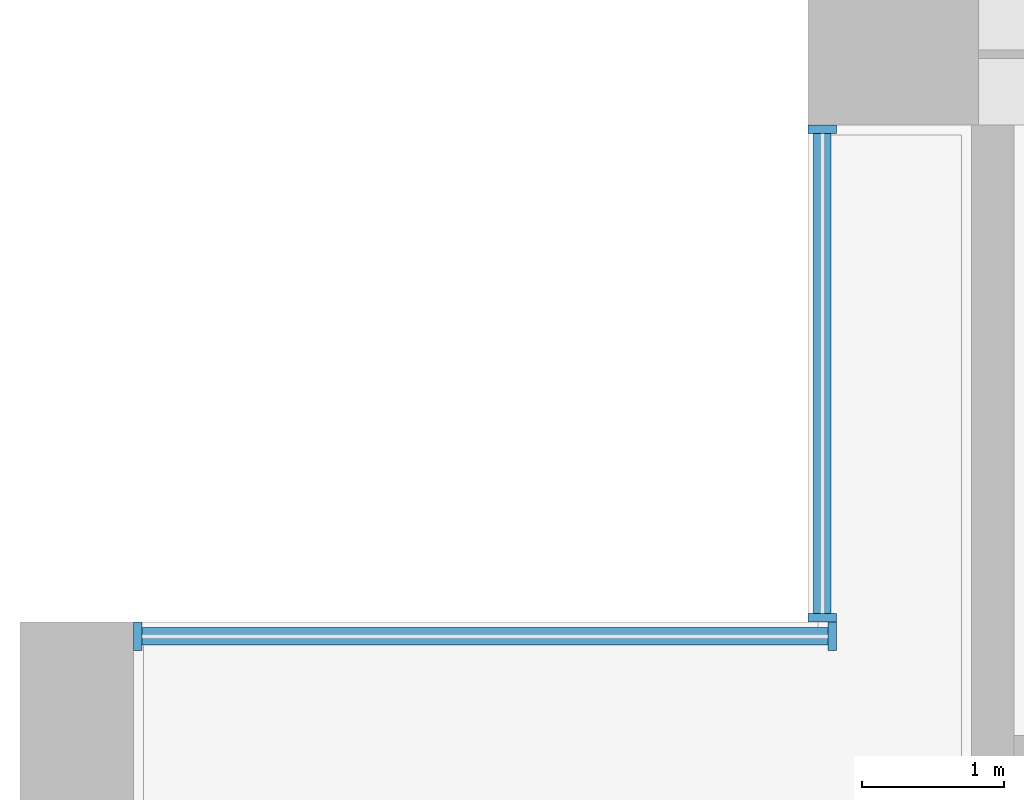
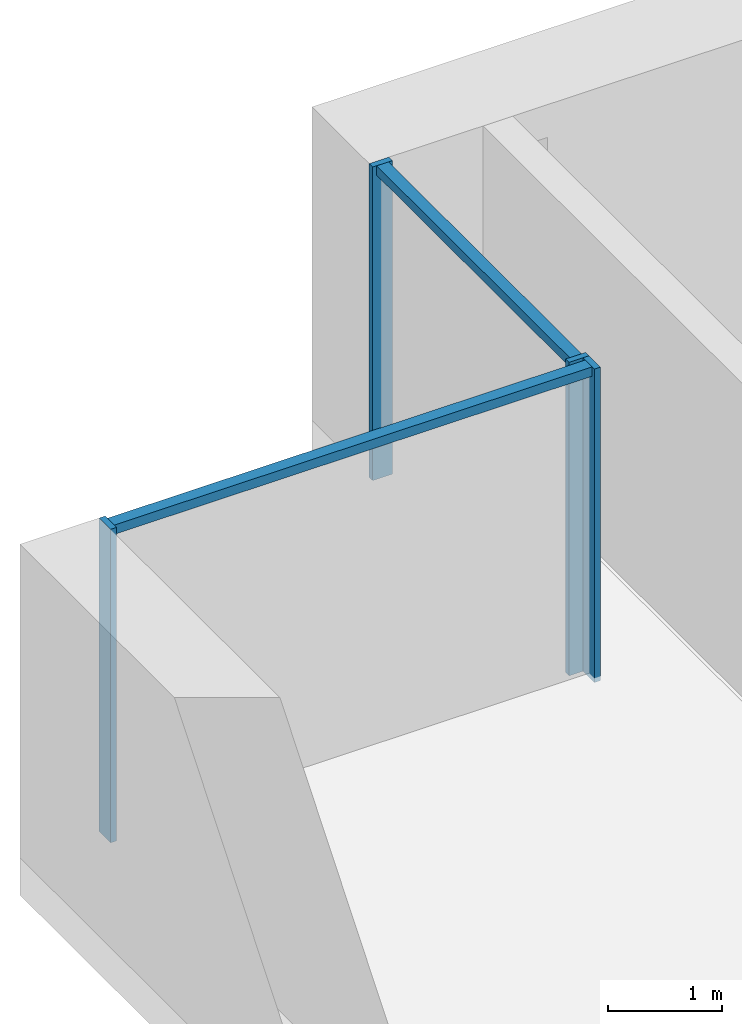
# One storey, part 4 of 18: 6 members, 2 elements without a shape of their own.
"""IFC4 building model written with IfcOpenShell, lengths in metres."""

from ifc_helpers import new_model, si_unit, direction, frame, origin, origin_2d, place, context, subcontext, project, spatial, rectangle, extrude, material, material_profile, profile_set, type_object, element, aggregate, save


model = new_model("IFC4")

# Units and contexts
model_context = context("Model", 3, precision=1e-05, world=origin(), true_north=direction((0.0, 1.0)))
body_context = subcontext(model_context, "Body", "Model", "MODEL_VIEW")
ifc_project = project(units=[si_unit("LENGTHUNIT", "METRE"), si_unit("AREAUNIT", "SQUARE_METRE"), si_unit("VOLUMEUNIT", "CUBIC_METRE"), si_unit("PLANEANGLEUNIT", "RADIAN"), si_unit("MASSUNIT", "GRAM", prefix="KILO")], contexts=[model_context])

# Site, building, storey
site_placement = place(None, origin())
site = spatial("IfcSite", under=ifc_project, at=site_placement, CompositionType="ELEMENT")
building_placement = place(site_placement, origin())
building = spatial("IfcBuilding", under=site, at=building_placement, Name="Calvaro Tower", CompositionType="ELEMENT")
storey_placement = place(building_placement, frame((0.0, 0.0, 41.25)))
storey = spatial("IfcBuildingStorey", under=building, at=storey_placement, Name="L09", CompositionType="ELEMENT", Elevation=41.25)

# Curtain wall, members
ifc_material_1 = material(Name="Anodised aluminium", Category="aluminium")
curtain_wall_type = type_object("IfcCurtainWallType", Name="Office curtain wall, lower zone", PredefinedType="NOTDEFINED", material=ifc_material_1)
curtain_wall_1_placement = place(storey_placement, origin())
curtain_wall_1 = element("IfcCurtainWall", 1, at=curtain_wall_1_placement, inside=storey, type_object=curtain_wall_type, Name="CW1 corner curtain wall", PredefinedType="NOTDEFINED")
ifc_material_2 = material(Name="Anodised aluminium", Category="aluminium")
ifc_material_profile_1 = material_profile(ifc_material_2, rectangle(XDim=0.199951171875, YDim=0.06005859375, at=origin_2d()), Name="Mullion S1 60 x 200")
ifc_profile_set_1 = profile_set([ifc_material_profile_1], Name="Anodised aluminium")
member_type_1 = type_object("IfcMemberType", Name="Mullion S1 60 x 200", PredefinedType="MULLION", material=ifc_profile_set_1)
member_1_placement = place(storey_placement, frame((5.64990234375, 41.530029296875, 0.0), z_axis=(0.0, 0.0, 1.0), x_axis=(-1.0, 0.0, 0.0)))
member_1 = element("IfcMember", 2, at=member_1_placement, type_object=member_type_1, Name="CW1 mullion 1", PredefinedType="MULLION", context=body_context, shape_type="SweptSolid", body=[
    extrude(rectangle(XDim=0.199951171875, YDim=0.06005859375, at=origin_2d()), origin(), (0.0, 0.0, 1.0), 3.35009765625),
])
member_2_placement = place(storey_placement, frame((5.64990234375, 44.969970703125, 0.0), z_axis=(0.0, 0.0, 1.0), x_axis=(-1.0, 0.0, 0.0)))
member_2 = element("IfcMember", 3, at=member_2_placement, type_object=member_type_1, Name="CW1 mullion 2", PredefinedType="MULLION", context=body_context, shape_type="SweptSolid", body=[
    extrude(rectangle(XDim=0.199951171875, YDim=0.06005859375, at=origin_2d()), origin(), (0.0, 0.0, 1.0), 3.35009765625),
])

curtain_wall_2_placement = place(storey_placement, origin())
curtain_wall_2 = element("IfcCurtainWall", 4, at=curtain_wall_2_placement, inside=storey, type_object=curtain_wall_type, Name="CW1 corner curtain wall", PredefinedType="NOTDEFINED")
member_3_placement = place(storey_placement, frame((0.830078125, 41.39990234375, 0.0), z_axis=(0.0, 0.0, 1.0), x_axis=(0.0, 1.0, 0.0)))
member_3 = element("IfcMember", 5, at=member_3_placement, type_object=member_type_1, Name="CW1 mullion 1", PredefinedType="MULLION", context=body_context, shape_type="SweptSolid", body=[
    extrude(rectangle(XDim=0.199951171875, YDim=0.06005859375, at=origin_2d()), origin(), (0.0, 0.0, 1.0), 3.35009765625),
])
member_4_placement = place(storey_placement, frame((5.719970703125, 41.39990234375, 0.0), z_axis=(0.0, 0.0, 1.0), x_axis=(0.0, 1.0, 0.0)))
member_4 = element("IfcMember", 6, at=member_4_placement, type_object=member_type_1, Name="CW1 mullion 2", PredefinedType="MULLION", context=body_context, shape_type="SweptSolid", body=[
    extrude(rectangle(XDim=0.199951171875, YDim=0.06005859375, at=origin_2d()), origin(), (0.0, 0.0, 1.0), 3.35009765625),
])

# Member
ifc_material_3 = material(Name="Anodised aluminium", Category="aluminium")
ifc_material_profile_2 = material_profile(ifc_material_3, rectangle(XDim=0.1201171875, YDim=0.10009765625, at=origin_2d()), Name="Transom S1 100 x 120")
ifc_profile_set_2 = profile_set([ifc_material_profile_2], Name="Anodised aluminium")
member_type_2 = type_object("IfcMemberType", Name="Transom S1 100 x 120", PredefinedType="USERDEFINED", material=ifc_profile_set_2)
member_5_placement = place(storey_placement, frame((5.64990234375, 41.56005859375, 3.300048828125), z_axis=(0.0, 1.0, 0.0), x_axis=(-1.0, 0.0, 0.0)))
member_5 = element("IfcMember", 7, at=member_5_placement, type_object=member_type_2, Name="CW1 transom 1.1", ObjectType="TRANSOM", PredefinedType="USERDEFINED", context=body_context, shape_type="SweptSolid", body=[
    extrude(rectangle(XDim=0.1201171875, YDim=0.10009765625, at=origin_2d()), origin(), (0.0, 0.0, 1.0), 3.3798828125),
])

aggregate(curtain_wall_1, [member_1, member_2, member_5])

member_6_placement = place(storey_placement, frame((0.860107421875, 41.39990234375, 3.300048828125), z_axis=(1.0, 0.0, 0.0), x_axis=(0.0, 1.0, 0.0)))
member_6 = element("IfcMember", 8, at=member_6_placement, type_object=member_type_2, Name="CW1 transom 1.1", ObjectType="TRANSOM", PredefinedType="USERDEFINED", context=body_context, shape_type="SweptSolid", body=[
    extrude(rectangle(XDim=0.1201171875, YDim=0.10009765625, at=origin_2d()), origin(), (0.0, 0.0, 1.0), 4.829833984375),
])

aggregate(curtain_wall_2, [member_3, member_4, member_6])

save(model, "model.ifc")
